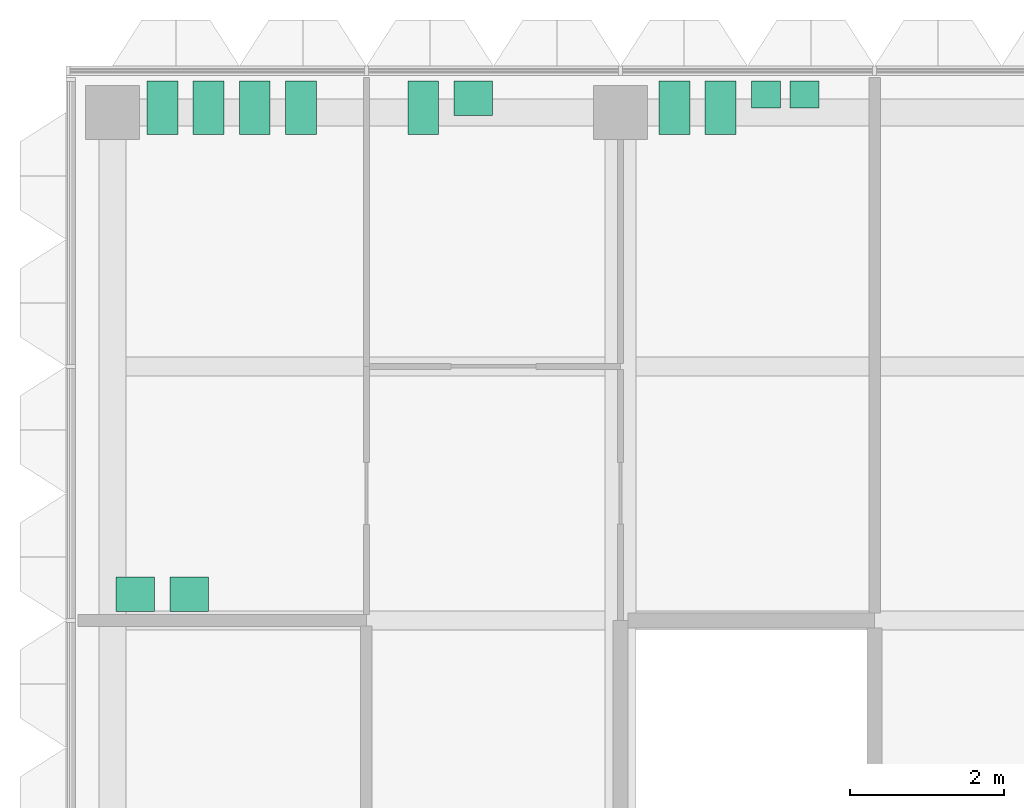
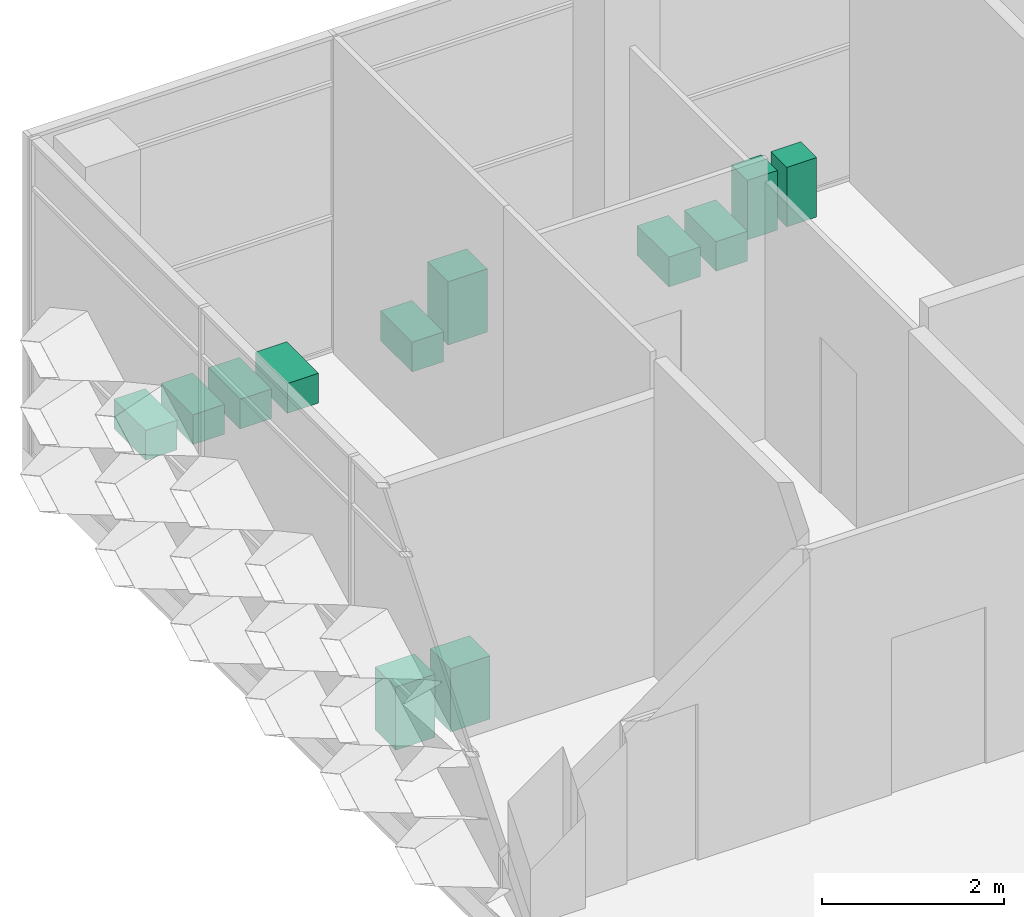
# One storey, part 21 of 21: 12 sanitary terminals.
"""IFC4 building model written with IfcOpenShell, lengths in metres."""

from ifc_helpers import new_model, si_unit, direction, frame, origin, origin_2d, place, context, subcontext, project, spatial, rectangle, extrude, element, save


model = new_model("IFC4")

# Units and contexts
model_context = context("Model", 3, precision=1e-05, world=origin(), true_north=direction((0.0, 1.0)))
body_context = subcontext(model_context, "Body", "Model", "MODEL_VIEW")
ifc_project = project(units=[si_unit("LENGTHUNIT", "METRE"), si_unit("AREAUNIT", "SQUARE_METRE"), si_unit("VOLUMEUNIT", "CUBIC_METRE"), si_unit("PLANEANGLEUNIT", "RADIAN"), si_unit("MASSUNIT", "GRAM", prefix="KILO")], contexts=[model_context])

# Site, building, storey
site_placement = place(None, origin())
site = spatial("IfcSite", under=ifc_project, at=site_placement, CompositionType="ELEMENT")
building_placement = place(site_placement, origin())
building = spatial("IfcBuilding", under=site, at=building_placement, Name="Lantern Court Research Institute", CompositionType="ELEMENT")
storey_placement = place(building_placement, frame((0.0, 0.0, 41.39990234375)))
storey = spatial("IfcBuildingStorey", under=building, at=storey_placement, Name="L09", CompositionType="ELEMENT", Elevation=41.39990234375)

# Sanitary terminals
for number, where, z_axis, x_axis, name in (
    (1, (53.449951171875, 23.159912109375, 0.000244140625), (0.0, 0.0, 1.0), (1.0, 0.0, 0.0), "WC pan T9.03"),
    (2, (54.050048828125, 23.159912109375, 0.000244140625), (0.0, 0.0, 1.0), (1.0, 0.0, 0.0), "WC pan T9.03"),
    (3, (54.64990234375, 23.159912109375, 0.000244140625), (0.0, 0.0, 1.0), (1.0, 0.0, 0.0), "WC pan T9.03"),
    (4, (55.25, 23.159912109375, 0.000244140625), (0.0, 0.0, 1.0), (1.0, 0.0, 0.0), "WC pan T9.03"),
):
    element("IfcSanitaryTerminal", number, at=place(storey_placement, frame(where, z_axis=z_axis, x_axis=x_axis)), inside=storey, Name=name, PredefinedType="TOILETPAN", context=body_context, shape_type="SweptSolid", body=[
        extrude(rectangle(XDim=0.39990234375, YDim=0.699951171875, at=origin_2d()), origin(), (0.0, 0.0, 1.0), 0.39990234375),
    ])
for number, where, z_axis, x_axis, name in (
    (5, (53.10009765625, 16.840087890625, 0.0), (0.0, 0.0, 1.0), (1.0, 0.0, 0.0), "Wash basin T9.03"),
    (6, (53.800048828125, 16.840087890625, 0.0), (0.0, 0.0, 1.0), (1.0, 0.0, 0.0), "Wash basin T9.03"),
):
    element("IfcSanitaryTerminal", number, at=place(storey_placement, frame(where, z_axis=z_axis, x_axis=x_axis)), inside=storey, Name=name, PredefinedType="WASHHANDBASIN", context=body_context, shape_type="SweptSolid", body=[
        extrude(rectangle(XDim=0.5, YDim=0.449951171875, at=origin_2d()), origin(), (0.0, 0.0, 1.0), 0.85009765625),
    ])
sanitary_terminal_1_placement = place(storey_placement, frame((56.83740234375, 23.159912109375, 0.000244140625), z_axis=(0.0, 0.0, 1.0), x_axis=(1.0, 0.0, 0.0)))
element("IfcSanitaryTerminal", 7, at=sanitary_terminal_1_placement, inside=storey, Name="WC pan T9.05", PredefinedType="TOILETPAN", context=body_context, shape_type="SweptSolid", body=[
    extrude(rectangle(XDim=0.39990234375, YDim=0.699951171875, at=origin_2d()), origin(), (0.0, 0.0, 1.0), 0.39990234375),
])
sanitary_terminal_2_placement = place(storey_placement, frame((57.487548828125, 23.284912109375, 0.0), z_axis=(0.0, 0.0, 1.0), x_axis=(1.0, 0.0, 0.0)))
element("IfcSanitaryTerminal", 8, at=sanitary_terminal_2_placement, inside=storey, Name="Wash basin T9.05", PredefinedType="WASHHANDBASIN", context=body_context, shape_type="SweptSolid", body=[
    extrude(rectangle(XDim=0.5, YDim=0.449951171875, at=origin_2d()), origin(), (0.0, 0.0, 1.0), 0.85009765625),
])
for number, where, z_axis, x_axis, name in (
    (9, (60.10009765625, 23.159912109375, 0.000244140625), (0.0, 0.0, 1.0), (1.0, 0.0, 0.0), "WC pan T9.07"),
    (10, (60.699951171875, 23.159912109375, 0.000244140625), (0.0, 0.0, 1.0), (1.0, 0.0, 0.0), "WC pan T9.07"),
):
    element("IfcSanitaryTerminal", number, at=place(storey_placement, frame(where, z_axis=z_axis, x_axis=x_axis)), inside=storey, Name=name, PredefinedType="TOILETPAN", context=body_context, shape_type="SweptSolid", body=[
        extrude(rectangle(XDim=0.39990234375, YDim=0.699951171875, at=origin_2d()), origin(), (0.0, 0.0, 1.0), 0.39990234375),
    ])
for number, where, z_axis, x_axis, name in (
    (11, (61.2900390625, 23.3349609375, 0.0), (0.0, 0.0, 1.0), (1.0, 0.0, 0.0), "Urinal T9.07"),
    (12, (61.7900390625, 23.3349609375, 0.0), (0.0, 0.0, 1.0), (1.0, 0.0, 0.0), "Urinal T9.07"),
):
    element("IfcSanitaryTerminal", number, at=place(storey_placement, frame(where, z_axis=z_axis, x_axis=x_axis)), inside=storey, Name=name, PredefinedType="URINAL", context=body_context, shape_type="SweptSolid", body=[
        extrude(rectangle(XDim=0.3798828125, YDim=0.35009765625, at=origin_2d()), origin(), (0.0, 0.0, 1.0), 0.800048828125),
    ])

save(model, "model.ifc")
